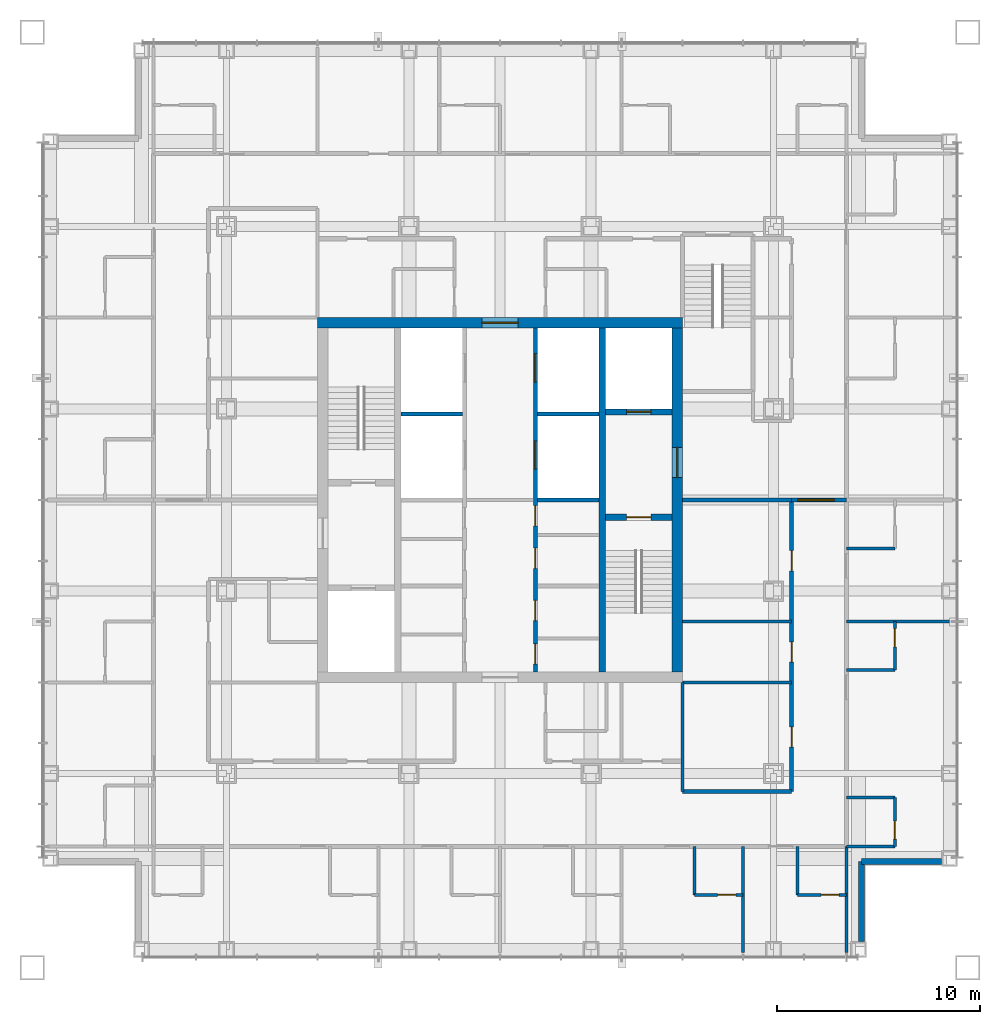
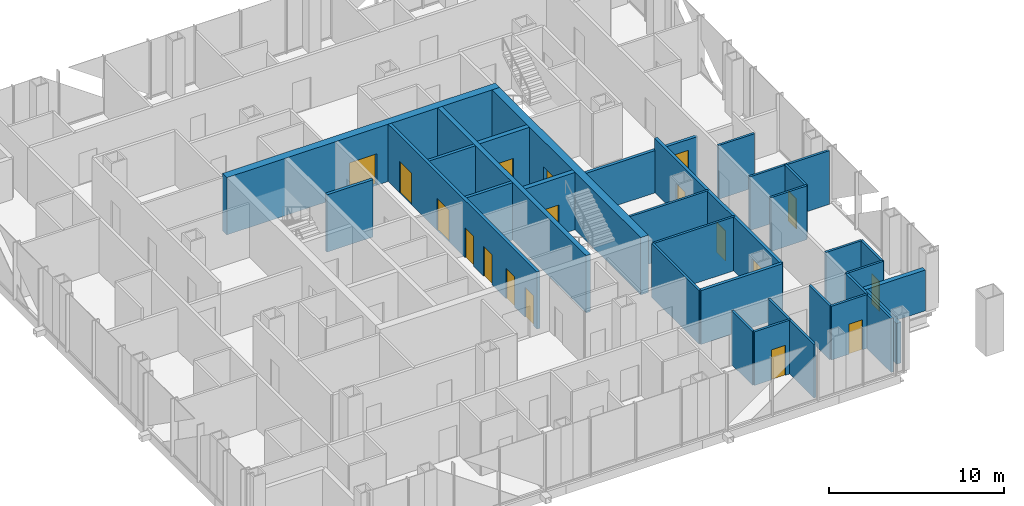
# One storey, part 13 of 16: 31 walls, 18 doors, 18 openings.
"""IFC4 building model written with IfcOpenShell, lengths in metres."""

from ifc_helpers import new_model, si_unit, direction, frame, frame_2d, origin, place, context, subcontext, project, spatial, rectangle, extrude, material, layer, layer_set, type_object, element, fill, save


model = new_model("IFC4")

# Units and contexts
model_context = context("Model", 3, precision=1e-05, world=origin(), true_north=direction((0.0, 1.0)))
body_context = subcontext(model_context, "Body", "Model", "MODEL_VIEW")
ifc_project = project(units=[si_unit("LENGTHUNIT", "METRE"), si_unit("AREAUNIT", "SQUARE_METRE"), si_unit("VOLUMEUNIT", "CUBIC_METRE"), si_unit("PLANEANGLEUNIT", "RADIAN"), si_unit("MASSUNIT", "GRAM", prefix="KILO")], contexts=[model_context])

# Site, building, storey
site_placement = place(None, origin())
site = spatial("IfcSite", under=ifc_project, at=site_placement, CompositionType="ELEMENT")
building_placement = place(site_placement, origin())
building = spatial("IfcBuilding", under=site, at=building_placement, Name="Malebo Sky Hospital", CompositionType="ELEMENT")
storey_placement = place(building_placement, frame((0.0, 0.0, 197.0)))
storey = spatial("IfcBuildingStorey", under=building, at=storey_placement, Name="L47", CompositionType="ELEMENT", Elevation=197.0)

# Wall, openings, doors
ifc_material_1 = material(Name="Concrete C80/95", Category="concrete")
ifc_layer_1 = layer(ifc_material_1, 0.199951171875)
ifc_layer_set_1 = layer_set([ifc_layer_1], Name="CORE INNER WALL 200")
wall_type_1 = type_object("IfcWallType", Name="CORE INNER WALL 200", PredefinedType="SHEAR", material=ifc_layer_set_1)
wall_1_placement = place(storey_placement, frame((61.75, 53.5, 0.0), z_axis=(0.0, 0.0, 1.0), x_axis=(0.0, 1.0, 0.0)))
wall_1 = element("IfcWall", 1, at=wall_1_placement, inside=storey, type_object=wall_type_1, Name="Core wall LE L47", PredefinedType="SHEAR", context=body_context, shape_type="SweptSolid", body=[
    extrude(rectangle(XDim=17.0, YDim=0.199951171875, at=frame_2d((8.5, 0.0))), origin(), (0.0, 0.0, 1.0), 4.0),
])
opening_1_placement = place(wall_1_placement, frame((0.392578125, 0.0, 0.0)))
opening_1 = element("IfcOpeningElement", 2, at=opening_1_placement, cuts=wall_1, Name="Opening D17", PredefinedType="OPENING", context=body_context, shape_type="SweptSolid", body=[
    extrude(rectangle(XDim=1.0, YDim=2.10009765625, at=frame_2d((0.5, 1.050048828125))), frame((0.0, 0.10986328125, 0.0), z_axis=(0.0, -1.0, 0.0), x_axis=(1.0, 0.0, 0.0)), (0.0, 0.0, 1.0), 0.219970703125),
])
opening_2_placement = place(wall_1_placement, frame((2.54248046875, 0.0, 0.0)))
opening_2 = element("IfcOpeningElement", 3, at=opening_2_placement, cuts=wall_1, Name="Opening D17", PredefinedType="OPENING", context=body_context, shape_type="SweptSolid", body=[
    extrude(rectangle(XDim=1.0, YDim=2.10009765625, at=frame_2d((0.5, 1.050048828125))), frame((0.0, 0.10986328125, 0.0), z_axis=(0.0, -1.0, 0.0), x_axis=(1.0, 0.0, 0.0)), (0.0, 0.0, 1.0), 0.219970703125),
])
opening_3_placement = place(wall_1_placement, frame((5.12744140625, 0.0, 0.0)))
opening_3 = element("IfcOpeningElement", 4, at=opening_3_placement, cuts=wall_1, Name="Opening D17", PredefinedType="OPENING", context=body_context, shape_type="SweptSolid", body=[
    extrude(rectangle(XDim=1.0, YDim=2.10009765625, at=frame_2d((0.5, 1.050048828125))), frame((0.0, 0.10986328125, 0.0), z_axis=(0.0, -1.0, 0.0), x_axis=(1.0, 0.0, 0.0)), (0.0, 0.0, 1.0), 0.219970703125),
])
opening_4_placement = place(wall_1_placement, frame((7.2275390625, 0.0, 0.0)))
opening_4 = element("IfcOpeningElement", 5, at=opening_4_placement, cuts=wall_1, Name="Opening D17", PredefinedType="OPENING", context=body_context, shape_type="SweptSolid", body=[
    extrude(rectangle(XDim=1.0, YDim=2.10009765625, at=frame_2d((0.5, 1.050048828125))), frame((0.0, 0.10986328125, 0.0), z_axis=(0.0, -1.0, 0.0), x_axis=(1.0, 0.0, 0.0)), (0.0, 0.0, 1.0), 0.219970703125),
])
opening_5_placement = place(wall_1_placement, frame((10.02490234375, 0.0, 0.0)))
opening_5 = element("IfcOpeningElement", 6, at=opening_5_placement, cuts=wall_1, Name="Opening LD1", PredefinedType="OPENING", context=body_context, shape_type="SweptSolid", body=[
    extrude(rectangle(XDim=1.39990234375, YDim=2.199951171875, at=frame_2d((0.699951171875, 1.10009765625))), frame((0.0, 0.10986328125, 0.0), z_axis=(0.0, -1.0, 0.0), x_axis=(1.0, 0.0, 0.0)), (0.0, 0.0, 1.0), 0.219970703125),
])
opening_6_placement = place(wall_1_placement, frame((14.324951171875, 0.0, 0.0)))
opening_6 = element("IfcOpeningElement", 7, at=opening_6_placement, cuts=wall_1, Name="Opening LD1", PredefinedType="OPENING", context=body_context, shape_type="SweptSolid", body=[
    extrude(rectangle(XDim=1.39990234375, YDim=2.199951171875, at=frame_2d((0.699951171875, 1.10009765625))), frame((0.0, 0.10986328125, 0.0), z_axis=(0.0, -1.0, 0.0), x_axis=(1.0, 0.0, 0.0)), (0.0, 0.0, 1.0), 0.219970703125),
])
ifc_material_2 = material(Name="Hardwood-faced door leaf in steel frame", Category="steel")
door_type_1 = type_object("IfcDoorType", Name="FIRE DOOR 1000", OperationType="SINGLE_SWING_LEFT", PredefinedType="DOOR", material=ifc_material_2)
door_1_placement = place(opening_1_placement, origin())
door_1 = element("IfcDoor", 8, at=door_1_placement, inside=storey, type_object=door_type_1, Name="Linen store door", OperationType="SINGLE_SWING_RIGHT", OverallHeight=2.10009765625, OverallWidth=1.0, PredefinedType="DOOR", context=body_context, shape_type="SweptSolid", body=[
    extrude(rectangle(XDim=1.0, YDim=2.10009765625, at=frame_2d((0.5, 1.050048828125))), frame((0.0, 0.02490234375, 0.0), z_axis=(0.0, -1.0, 0.0), x_axis=(1.0, 0.0, 0.0)), (0.0, 0.0, 1.0), 0.050048828125),
])
fill(opening_1, door_1)
door_2_placement = place(opening_2_placement, origin())
door_2 = element("IfcDoor", 9, at=door_2_placement, inside=storey, type_object=door_type_1, Name="Supplies store door", OperationType="SINGLE_SWING_RIGHT", OverallHeight=2.10009765625, OverallWidth=1.0, PredefinedType="DOOR", context=body_context, shape_type="SweptSolid", body=[
    extrude(rectangle(XDim=1.0, YDim=2.10009765625, at=frame_2d((0.5, 1.050048828125))), frame((0.0, 0.02490234375, 0.0), z_axis=(0.0, -1.0, 0.0), x_axis=(1.0, 0.0, 0.0)), (0.0, 0.0, 1.0), 0.050048828125),
])
fill(opening_2, door_2)
door_3_placement = place(opening_3_placement, origin())
door_3 = element("IfcDoor", 10, at=door_3_placement, inside=storey, type_object=door_type_1, Name="Mattress store door", OperationType="SINGLE_SWING_RIGHT", OverallHeight=2.10009765625, OverallWidth=1.0, PredefinedType="DOOR", context=body_context, shape_type="SweptSolid", body=[
    extrude(rectangle(XDim=1.0, YDim=2.10009765625, at=frame_2d((0.5, 1.050048828125))), frame((0.0, 0.02490234375, 0.0), z_axis=(0.0, -1.0, 0.0), x_axis=(1.0, 0.0, 0.0)), (0.0, 0.0, 1.0), 0.050048828125),
])
fill(opening_3, door_3)
door_4_placement = place(opening_4_placement, origin())
door_4 = element("IfcDoor", 11, at=door_4_placement, inside=storey, type_object=door_type_1, Name="Cleaning equipment store door", OperationType="SINGLE_SWING_RIGHT", OverallHeight=2.10009765625, OverallWidth=1.0, PredefinedType="DOOR", context=body_context, shape_type="SweptSolid", body=[
    extrude(rectangle(XDim=1.0, YDim=2.10009765625, at=frame_2d((0.5, 1.050048828125))), frame((0.0, 0.02490234375, 0.0), z_axis=(0.0, -1.0, 0.0), x_axis=(1.0, 0.0, 0.0)), (0.0, 0.0, 1.0), 0.050048828125),
])
fill(opening_4, door_4)
ifc_material_3 = material(Name="Stainless steel sliding landing door", Category="steel")
door_type_2 = type_object("IfcDoorType", Name="LIFT LANDING DOOR 1400", OperationType="SLIDING_TO_LEFT", PredefinedType="DOOR", material=ifc_material_3)
door_5_placement = place(opening_5_placement, origin())
door_5 = element("IfcDoor", 12, at=door_5_placement, inside=storey, type_object=door_type_2, Name="Lift E3 landing door", OperationType="SLIDING_TO_LEFT", OverallHeight=2.199951171875, OverallWidth=1.39990234375, PredefinedType="DOOR", context=body_context, shape_type="SweptSolid", body=[
    extrude(rectangle(XDim=1.39990234375, YDim=2.199951171875, at=frame_2d((0.699951171875, 1.10009765625))), frame((0.0, 0.02490234375, 0.0), z_axis=(0.0, -1.0, 0.0), x_axis=(1.0, 0.0, 0.0)), (0.0, 0.0, 1.0), 0.050048828125),
])
fill(opening_5, door_5)
door_6_placement = place(opening_6_placement, origin())
door_6 = element("IfcDoor", 13, at=door_6_placement, inside=storey, type_object=door_type_2, Name="Lift E4 landing door", OperationType="SLIDING_TO_LEFT", OverallHeight=2.199951171875, OverallWidth=1.39990234375, PredefinedType="DOOR", context=body_context, shape_type="SweptSolid", body=[
    extrude(rectangle(XDim=1.39990234375, YDim=2.199951171875, at=frame_2d((0.699951171875, 1.10009765625))), frame((0.0, 0.02490234375, 0.0), z_axis=(0.0, -1.0, 0.0), x_axis=(1.0, 0.0, 0.0)), (0.0, 0.0, 1.0), 0.050048828125),
])
fill(opening_6, door_6)

# Walls
for number, where, z_axis, x_axis, name in (
    (14, (61.85009765625, 62.0, 0.0), (0.0, 0.0, 1.0), (1.0, 0.0, 0.0), "Core wall SE1 L47"),
    (15, (55.10009765625, 66.25, 0.0), (0.0, 0.0, 1.0), (1.0, 0.0, 0.0), "Core wall SW2 L47"),
    (16, (61.85009765625, 66.25, 0.0), (0.0, 0.0, 1.0), (1.0, 0.0, 0.0), "Core wall SE2 L47"),
):
    element("IfcWall", number, at=place(storey_placement, frame(where, z_axis=z_axis, x_axis=x_axis)), inside=storey, type_object=wall_type_1, Name=name, PredefinedType="SHEAR", context=body_context, shape_type="SweptSolid", body=[
        extrude(rectangle(XDim=3.0498046875, YDim=0.199951171875, at=frame_2d((1.52490234375, 0.0))), origin(), (0.0, 0.0, 1.0), 4.0),
    ])
ifc_layer_2 = layer(ifc_material_1, 0.300048828125)
ifc_layer_set_2 = layer_set([ifc_layer_2], Name="CORE INNER WALL 300")
wall_type_2 = type_object("IfcWallType", Name="CORE INNER WALL 300", PredefinedType="SHEAR", material=ifc_layer_set_2)
wall_2_placement = place(storey_placement, frame((65.050048828125, 53.5, 0.0), z_axis=(0.0, 0.0, 1.0), x_axis=(0.0, 1.0, 0.0)))
element("IfcWall", 17, at=wall_2_placement, inside=storey, type_object=wall_type_2, Name="Core wall XE L47", PredefinedType="SHEAR", context=body_context, shape_type="SweptSolid", body=[
    extrude(rectangle(XDim=17.0, YDim=0.300048828125, at=frame_2d((8.5, 0.0))), origin(), (0.0, 0.0, 1.0), 4.0),
])

# Wall, opening, door
wall_3_placement = place(storey_placement, frame((65.199951171875, 61.14990234375, 0.0), z_axis=(0.0, 0.0, 1.0), x_axis=(1.0, 0.0, 0.0)))
wall_3 = element("IfcWall", 18, at=wall_3_placement, inside=storey, type_object=wall_type_2, Name="Core wall E1 L47", PredefinedType="SHEAR", context=body_context, shape_type="SweptSolid", body=[
    extrude(rectangle(XDim=3.300048828125, YDim=0.300048828125, at=frame_2d((1.64990234375, 0.0))), origin(), (0.0, 0.0, 1.0), 4.0),
])
opening_7_placement = place(wall_3_placement, frame((1.050048828125, 0.0, 0.0)))
opening_7 = element("IfcOpeningElement", 19, at=opening_7_placement, cuts=wall_3, Name="Opening D08", PredefinedType="OPENING", context=body_context, shape_type="SweptSolid", body=[
    extrude(rectangle(XDim=1.199951171875, YDim=2.10009765625, at=frame_2d((0.60009765625, 1.050048828125))), frame((0.0, 0.159912109375, 0.0), z_axis=(0.0, -1.0, 0.0), x_axis=(1.0, 0.0, 0.0)), (0.0, 0.0, 1.0), 0.320068359375),
])
door_type_3 = type_object("IfcDoorType", Name="STAIR DOOR 1200", OperationType="SINGLE_SWING_LEFT", PredefinedType="DOOR", material=ifc_material_2)
door_7_placement = place(opening_7_placement, origin())
door_7 = element("IfcDoor", 20, at=door_7_placement, inside=storey, type_object=door_type_3, Name="Stair S2 door", OperationType="SINGLE_SWING_LEFT", OverallHeight=2.10009765625, OverallWidth=1.199951171875, PredefinedType="DOOR", context=body_context, shape_type="SweptSolid", body=[
    extrude(rectangle(XDim=1.199951171875, YDim=2.10009765625, at=frame_2d((0.60009765625, 1.050048828125))), frame((0.0, 0.02490234375, 0.0), z_axis=(0.0, -1.0, 0.0), x_axis=(1.0, 0.0, 0.0)), (0.0, 0.0, 1.0), 0.050048828125),
])
fill(opening_7, door_7)

wall_4_placement = place(storey_placement, frame((65.199951171875, 66.35009765625, 0.0), z_axis=(0.0, 0.0, 1.0), x_axis=(1.0, 0.0, 0.0)))
wall_4 = element("IfcWall", 21, at=wall_4_placement, inside=storey, type_object=wall_type_2, Name="Core wall E2 L47", PredefinedType="SHEAR", context=body_context, shape_type="SweptSolid", body=[
    extrude(rectangle(XDim=3.300048828125, YDim=0.300048828125, at=frame_2d((1.64990234375, 0.0))), origin(), (0.0, 0.0, 1.0), 4.0),
])
opening_8_placement = place(wall_4_placement, frame((1.050048828125, 0.0, 0.0)))
opening_8 = element("IfcOpeningElement", 22, at=opening_8_placement, cuts=wall_4, Name="Opening LD2", PredefinedType="OPENING", context=body_context, shape_type="SweptSolid", body=[
    extrude(rectangle(XDim=1.199951171875, YDim=2.199951171875, at=frame_2d((0.60009765625, 1.10009765625))), frame((0.0, 0.159912109375, 0.0), z_axis=(0.0, -1.0, 0.0), x_axis=(1.0, 0.0, 0.0)), (0.0, 0.0, 1.0), 0.320068359375),
])
door_type_4 = type_object("IfcDoorType", Name="FIRE-FIGHTING LIFT LANDING DOOR 1200", OperationType="SLIDING_TO_LEFT", PredefinedType="DOOR", material=ifc_material_3)
door_8_placement = place(opening_8_placement, origin())
door_8 = element("IfcDoor", 23, at=door_8_placement, inside=storey, type_object=door_type_4, Name="Lift FL2 landing door", OperationType="SLIDING_TO_LEFT", OverallHeight=2.199951171875, OverallWidth=1.199951171875, PredefinedType="DOOR", context=body_context, shape_type="SweptSolid", body=[
    extrude(rectangle(XDim=1.199951171875, YDim=2.199951171875, at=frame_2d((0.60009765625, 1.10009765625))), frame((0.0, 0.02490234375, 0.0), z_axis=(0.0, -1.0, 0.0), x_axis=(1.0, 0.0, 0.0)), (0.0, 0.0, 1.0), 0.050048828125),
])
fill(opening_8, door_8)

ifc_layer_3 = layer(ifc_material_1, 0.5)
ifc_layer_set_3 = layer_set([ifc_layer_3], Name="CORE WALL 500")
wall_type_3 = type_object("IfcWallType", Name="CORE WALL 500", PredefinedType="SHEAR", material=ifc_layer_set_3)
wall_5_placement = place(storey_placement, frame((51.0, 70.75, 0.0), z_axis=(0.0, 0.0, 1.0), x_axis=(1.0, 0.0, 0.0)))
wall_5 = element("IfcWall", 24, at=wall_5_placement, inside=storey, type_object=wall_type_3, Name="Core wall N L47", PredefinedType="SHEAR", context=body_context, shape_type="SweptSolid", body=[
    extrude(rectangle(XDim=18.0, YDim=0.5, at=frame_2d((9.0, 0.0))), origin(), (0.0, 0.0, 1.0), 4.0),
])
opening_9_placement = place(wall_5_placement, frame((8.10009765625, 0.0, 0.0)))
opening_9 = element("IfcOpeningElement", 25, at=opening_9_placement, cuts=wall_5, Name="Opening D06", PredefinedType="OPENING", context=body_context, shape_type="SweptSolid", body=[
    extrude(rectangle(XDim=1.800048828125, YDim=2.199951171875, at=frame_2d((0.89990234375, 1.10009765625))), frame((0.0, 0.260009765625, 0.0), z_axis=(0.0, -1.0, 0.0), x_axis=(1.0, 0.0, 0.0)), (0.0, 0.0, 1.0), 0.52001953125),
])
door_type_5 = type_object("IfcDoorType", Name="LOBBY DOOR PAIR 1800", OperationType="DOUBLE_DOOR_SINGLE_SWING", PredefinedType="DOOR", material=ifc_material_2)
door_9_placement = place(opening_9_placement, origin())
door_9 = element("IfcDoor", 26, at=door_9_placement, inside=storey, type_object=door_type_5, Name="Lift lobby door north", OperationType="DOUBLE_DOOR_SINGLE_SWING", OverallHeight=2.199951171875, OverallWidth=1.800048828125, PredefinedType="DOOR", context=body_context, shape_type="SweptSolid", body=[
    extrude(rectangle(XDim=1.800048828125, YDim=2.199951171875, at=frame_2d((0.89990234375, 1.10009765625))), frame((0.0, 0.02490234375, 0.0), z_axis=(0.0, -1.0, 0.0), x_axis=(1.0, 0.0, 0.0)), (0.0, 0.0, 1.0), 0.050048828125),
])
fill(opening_9, door_9)

wall_6_placement = place(storey_placement, frame((68.75, 53.5, 0.0), z_axis=(0.0, 0.0, 1.0), x_axis=(0.0, 1.0, 0.0)))
wall_6 = element("IfcWall", 27, at=wall_6_placement, inside=storey, type_object=wall_type_3, Name="Core wall E L47", PredefinedType="SHEAR", context=body_context, shape_type="SweptSolid", body=[
    extrude(rectangle(XDim=17.0, YDim=0.5, at=frame_2d((8.5, 0.0))), origin(), (0.0, 0.0, 1.0), 4.0),
])
opening_10_placement = place(wall_6_placement, frame((9.60009765625, 0.0, 0.0)))
opening_10 = element("IfcOpeningElement", 28, at=opening_10_placement, cuts=wall_6, Name="Opening D07", PredefinedType="OPENING", context=body_context, shape_type="SweptSolid", body=[
    extrude(rectangle(XDim=1.5, YDim=2.199951171875, at=frame_2d((0.75, 1.10009765625))), frame((0.0, 0.260009765625, 0.0), z_axis=(0.0, -1.0, 0.0), x_axis=(1.0, 0.0, 0.0)), (0.0, 0.0, 1.0), 0.52001953125),
])
door_type_6 = type_object("IfcDoorType", Name="FIRE-FIGHTING LOBBY DOOR PAIR 1500", OperationType="DOUBLE_DOOR_SINGLE_SWING", PredefinedType="DOOR", material=ifc_material_2)
door_10_placement = place(opening_10_placement, origin())
door_10 = element("IfcDoor", 29, at=door_10_placement, inside=storey, type_object=door_type_6, Name="Fire-fighting lobby door east", OperationType="DOUBLE_DOOR_SINGLE_SWING", OverallHeight=2.199951171875, OverallWidth=1.5, PredefinedType="DOOR", context=body_context, shape_type="SweptSolid", body=[
    extrude(rectangle(XDim=1.5, YDim=2.199951171875, at=frame_2d((0.75, 1.10009765625))), frame((0.0, 0.02490234375, 0.0), z_axis=(0.0, -1.0, 0.0), x_axis=(1.0, 0.0, 0.0)), (0.0, 0.0, 1.0), 0.050048828125),
])
fill(opening_10, door_10)

# Wall
ifc_material_4 = material(Name="Gypsum board on steel studs", Category="steel")
ifc_layer_4 = layer(ifc_material_4, 0.199951171875)
ifc_layer_set_4 = layer_set([ifc_layer_4], Name="CORRIDOR WALL 200")
wall_type_4 = type_object("IfcWallType", Name="CORRIDOR WALL 200", PredefinedType="PARTITIONING", material=ifc_layer_set_4)
wall_7_placement = place(storey_placement, frame((74.39990234375, 47.60009765625, 0.0), z_axis=(0.0, 0.0, 1.0), x_axis=(-1.0, 0.0, 0.0)))
element("IfcWall", 30, at=wall_7_placement, inside=storey, type_object=wall_type_4, Name="Corridor Wall 200 SCIK", PredefinedType="PARTITIONING", context=body_context, shape_type="SweptSolid", body=[
    extrude(rectangle(XDim=5.39990234375, YDim=0.199951171875, at=frame_2d((2.699951171875, 0.0))), origin(), (0.0, 0.0, 1.0), 3.75),
])

# Wall, openings, doors
wall_8_placement = place(storey_placement, frame((74.39990234375, 62.0, 0.0), z_axis=(0.0, 0.0, 1.0), x_axis=(0.0, -1.0, 0.0)))
wall_8 = element("IfcWall", 31, at=wall_8_placement, inside=storey, type_object=wall_type_4, Name="Corridor Wall 200 ECI2", PredefinedType="PARTITIONING", context=body_context, shape_type="SweptSolid", body=[
    extrude(rectangle(XDim=14.39990234375, YDim=0.199951171875, at=frame_2d((7.199951171875, 0.0))), origin(), (0.0, 0.0, 1.0), 3.75),
])
opening_11_placement = place(wall_8_placement, frame((2.5, 0.0, 0.0)))
opening_11 = element("IfcOpeningElement", 32, at=opening_11_placement, cuts=wall_8, Name="Opening D03", PredefinedType="OPENING", context=body_context, shape_type="SweptSolid", body=[
    extrude(rectangle(XDim=1.0, YDim=2.10009765625, at=frame_2d((0.5, 1.050048828125))), frame((0.0, 0.10986328125, 0.0), z_axis=(0.0, -1.0, 0.0), x_axis=(1.0, 0.0, 0.0)), (0.0, 0.0, 1.0), 0.219970703125),
])
opening_12_placement = place(wall_8_placement, frame((7.0, 0.0, 0.0)))
opening_12 = element("IfcOpeningElement", 33, at=opening_12_placement, cuts=wall_8, Name="Opening D03", PredefinedType="OPENING", context=body_context, shape_type="SweptSolid", body=[
    extrude(rectangle(XDim=1.0, YDim=2.10009765625, at=frame_2d((0.5, 1.050048828125))), frame((0.0, 0.10986328125, 0.0), z_axis=(0.0, -1.0, 0.0), x_axis=(1.0, 0.0, 0.0)), (0.0, 0.0, 1.0), 0.219970703125),
])
opening_13_placement = place(wall_8_placement, frame((11.199951171875, 0.0, 0.0)))
opening_13 = element("IfcOpeningElement", 34, at=opening_13_placement, cuts=wall_8, Name="Opening D03", PredefinedType="OPENING", context=body_context, shape_type="SweptSolid", body=[
    extrude(rectangle(XDim=1.0, YDim=2.10009765625, at=frame_2d((0.5, 1.050048828125))), frame((0.0, 0.10986328125, 0.0), z_axis=(0.0, -1.0, 0.0), x_axis=(1.0, 0.0, 0.0)), (0.0, 0.0, 1.0), 0.219970703125),
])
door_type_7 = type_object("IfcDoorType", Name="ROOM DOOR 1000", OperationType="SINGLE_SWING_LEFT", PredefinedType="DOOR", material=ifc_material_2)
door_11_placement = place(opening_11_placement, origin())
door_11 = element("IfcDoor", 35, at=door_11_placement, inside=storey, type_object=door_type_7, Name="Treatment room door", OperationType="SINGLE_SWING_LEFT", OverallHeight=2.10009765625, OverallWidth=1.0, PredefinedType="DOOR", context=body_context, shape_type="SweptSolid", body=[
    extrude(rectangle(XDim=1.0, YDim=2.10009765625, at=frame_2d((0.5, 1.050048828125))), frame((0.0, 0.02490234375, 0.0), z_axis=(0.0, -1.0, 0.0), x_axis=(1.0, 0.0, 0.0)), (0.0, 0.0, 1.0), 0.050048828125),
])
fill(opening_11, door_11)
door_12_placement = place(opening_12_placement, origin())
door_12 = element("IfcDoor", 36, at=door_12_placement, inside=storey, type_object=door_type_7, Name="Medication room door", OperationType="SINGLE_SWING_LEFT", OverallHeight=2.10009765625, OverallWidth=1.0, PredefinedType="DOOR", context=body_context, shape_type="SweptSolid", body=[
    extrude(rectangle(XDim=1.0, YDim=2.10009765625, at=frame_2d((0.5, 1.050048828125))), frame((0.0, 0.02490234375, 0.0), z_axis=(0.0, -1.0, 0.0), x_axis=(1.0, 0.0, 0.0)), (0.0, 0.0, 1.0), 0.050048828125),
])
fill(opening_12, door_12)
door_13_placement = place(opening_13_placement, origin())
door_13 = element("IfcDoor", 37, at=door_13_placement, inside=storey, type_object=door_type_7, Name="Ward pantry door", OperationType="SINGLE_SWING_RIGHT", OverallHeight=2.10009765625, OverallWidth=1.0, PredefinedType="DOOR", context=body_context, shape_type="SweptSolid", body=[
    extrude(rectangle(XDim=1.0, YDim=2.10009765625, at=frame_2d((0.5, 1.050048828125))), frame((0.0, 0.02490234375, 0.0), z_axis=(0.0, -1.0, 0.0), x_axis=(1.0, 0.0, 0.0)), (0.0, 0.0, 1.0), 0.050048828125),
])
fill(opening_13, door_13)

# Walls
ifc_material_5 = material(Name="Anodised aluminium rainscreen on steel framing", Category="steel")
ifc_layer_5 = layer(ifc_material_5, 0.300048828125)
ifc_layer_set_5 = layer_set([ifc_layer_5], Name="NOTCH RAINSCREEN WALL 300")
wall_type_5 = type_object("IfcWallType", Name="NOTCH RAINSCREEN WALL 300", PredefinedType="ELEMENTEDWALL", material=ifc_layer_set_5)
for number, where, z_axis, x_axis, name in (
    (38, (81.800048828125, 44.14990234375, 0.0), (0.0, 0.0, 1.0), (-1.0, 0.0, 0.0), "Notch rainscreen wall E1 L47"),
    (39, (77.85009765625, 44.14990234375, 0.0), (0.0, 0.0, 1.0), (0.0, -1.0, 0.0), "Notch rainscreen wall E2 L47"),
):
    element("IfcWall", number, at=place(storey_placement, frame(where, z_axis=z_axis, x_axis=x_axis)), inside=storey, type_object=wall_type_5, Name=name, PredefinedType="ELEMENTEDWALL", context=body_context, shape_type="SweptSolid", body=[
        extrude(rectangle(XDim=3.949951171875, YDim=0.300048828125, at=frame_2d((1.97509765625, 0.0))), origin(), (0.0, 0.0, 1.0), 2.85009765625),
    ])
ifc_layer_6 = layer(ifc_material_4, 0.14990234375)
ifc_layer_set_6 = layer_set([ifc_layer_6], Name="PARTITION 150")
wall_type_6 = type_object("IfcWallType", Name="PARTITION 150", PredefinedType="PARTITIONING", material=ifc_layer_set_6)
for number, where, z_axis, x_axis, name in (
    (40, (72.0, 44.89990234375, 0.0), (0.0, 0.0, 1.0), (0.0, -1.0, 0.0), "Partition 150 SP-12.0"),
    (41, (77.10009765625, 44.89990234375, 0.0), (0.0, 0.0, 1.0), (0.0, -1.0, 0.0), "Partition 150 SP0"),
):
    element("IfcWall", number, at=place(storey_placement, frame(where, z_axis=z_axis, x_axis=x_axis)), inside=storey, type_object=wall_type_6, Name=name, PredefinedType="PARTITIONING", context=body_context, shape_type="SweptSolid", body=[
        extrude(rectangle(XDim=5.25, YDim=0.14990234375, at=frame_2d((2.625, 0.0))), origin(), (0.0, 0.0, 1.0), 3.75),
    ])

# Wall, opening, door
wall_9_placement = place(storey_placement, frame((77.10009765625, 42.5, 0.0), z_axis=(0.0, 0.0, 1.0), x_axis=(-1.0, 0.0, 0.0)))
wall_9 = element("IfcWall", 42, at=wall_9_placement, inside=storey, type_object=wall_type_6, Name="Partition 150 SE0F", PredefinedType="PARTITIONING", context=body_context, shape_type="SweptSolid", body=[
    extrude(rectangle(XDim=2.400146484375, YDim=0.14990234375, at=frame_2d((1.2001953125, 0.0))), origin(), (0.0, 0.0, 1.0), 3.75),
])
opening_14_placement = place(wall_9_placement, frame((0.35009765625, 0.0, 0.0)))
opening_14 = element("IfcOpeningElement", 43, at=opening_14_placement, cuts=wall_9, Name="Opening D02", PredefinedType="OPENING", context=body_context, shape_type="SweptSolid", body=[
    extrude(rectangle(XDim=0.89990234375, YDim=2.10009765625, at=frame_2d((0.449951171875, 1.050048828125))), frame((0.0, 0.0849609375, 0.0), z_axis=(0.0, -1.0, 0.0), x_axis=(1.0, 0.0, 0.0)), (0.0, 0.0, 1.0), 0.169921875),
])
door_type_8 = type_object("IfcDoorType", Name="EN-SUITE DOOR 900", OperationType="SINGLE_SWING_LEFT", PredefinedType="DOOR", material=ifc_material_2)
door_14_placement = place(opening_14_placement, origin())
door_14 = element("IfcDoor", 44, at=door_14_placement, inside=storey, type_object=door_type_8, Name="En-suite door", OperationType="SINGLE_SWING_LEFT", OverallHeight=2.10009765625, OverallWidth=0.89990234375, PredefinedType="DOOR", context=body_context, shape_type="SweptSolid", body=[
    extrude(rectangle(XDim=0.89990234375, YDim=2.10009765625, at=frame_2d((0.449951171875, 1.050048828125))), frame((0.0, 0.02490234375, 0.0), z_axis=(0.0, -1.0, 0.0), x_axis=(1.0, 0.0, 0.0)), (0.0, 0.0, 1.0), 0.050048828125),
])
fill(opening_14, door_14)

# Wall
wall_10_placement = place(storey_placement, frame((74.699951171875, 44.89990234375, 0.0), z_axis=(0.0, 0.0, 1.0), x_axis=(0.0, -1.0, 0.0)))
element("IfcWall", 45, at=wall_10_placement, inside=storey, type_object=wall_type_6, Name="Partition 150 SE0S", PredefinedType="PARTITIONING", context=body_context, shape_type="SweptSolid", body=[
    extrude(rectangle(XDim=2.39990234375, YDim=0.14990234375, at=frame_2d((1.199951171875, 0.0))), origin(), (0.0, 0.0, 1.0), 3.75),
])

# Wall, opening, door
wall_11_placement = place(storey_placement, frame((72.0, 42.5, 0.0), z_axis=(0.0, 0.0, 1.0), x_axis=(-1.0, 0.0, 0.0)))
wall_11 = element("IfcWall", 46, at=wall_11_placement, inside=storey, type_object=wall_type_6, Name="Partition 150 SE1F", PredefinedType="PARTITIONING", context=body_context, shape_type="SweptSolid", body=[
    extrude(rectangle(XDim=2.39990234375, YDim=0.14990234375, at=frame_2d((1.199951171875, 0.0))), origin(), (0.0, 0.0, 1.0), 3.75),
])
opening_15_placement = place(wall_11_placement, frame((0.35009765625, 0.0, 0.0)))
opening_15 = element("IfcOpeningElement", 47, at=opening_15_placement, cuts=wall_11, Name="Opening D02", PredefinedType="OPENING", context=body_context, shape_type="SweptSolid", body=[
    extrude(rectangle(XDim=0.89990234375, YDim=2.10009765625, at=frame_2d((0.449951171875, 1.050048828125))), frame((0.0, 0.0849609375, 0.0), z_axis=(0.0, -1.0, 0.0), x_axis=(1.0, 0.0, 0.0)), (0.0, 0.0, 1.0), 0.169921875),
])
door_15_placement = place(opening_15_placement, origin())
door_15 = element("IfcDoor", 48, at=door_15_placement, inside=storey, type_object=door_type_8, Name="En-suite door", OperationType="SINGLE_SWING_LEFT", OverallHeight=2.10009765625, OverallWidth=0.89990234375, PredefinedType="DOOR", context=body_context, shape_type="SweptSolid", body=[
    extrude(rectangle(XDim=0.89990234375, YDim=2.10009765625, at=frame_2d((0.449951171875, 1.050048828125))), frame((0.0, 0.02490234375, 0.0), z_axis=(0.0, -1.0, 0.0), x_axis=(1.0, 0.0, 0.0)), (0.0, 0.0, 1.0), 0.050048828125),
])
fill(opening_15, door_15)

# Walls
wall_12_placement = place(storey_placement, frame((69.60009765625, 44.89990234375, 0.0), z_axis=(0.0, 0.0, 1.0), x_axis=(0.0, -1.0, 0.0)))
element("IfcWall", 49, at=wall_12_placement, inside=storey, type_object=wall_type_6, Name="Partition 150 SE1S", PredefinedType="PARTITIONING", context=body_context, shape_type="SweptSolid", body=[
    extrude(rectangle(XDim=2.39990234375, YDim=0.14990234375, at=frame_2d((1.199951171875, 0.0))), origin(), (0.0, 0.0, 1.0), 3.75),
])
wall_13_placement = place(storey_placement, frame((69.0, 53.0, 0.0), z_axis=(0.0, 0.0, 1.0), x_axis=(0.0, -1.0, 0.0)))
element("IfcWall", 50, at=wall_13_placement, inside=storey, type_object=wall_type_6, Name="Partition 150 SSP0", PredefinedType="PARTITIONING", context=body_context, shape_type="SweptSolid", body=[
    extrude(rectangle(XDim=5.39990234375, YDim=0.14990234375, at=frame_2d((2.699951171875, 0.0))), origin(), (0.0, 0.0, 1.0), 3.75),
])
wall_14_placement = place(storey_placement, frame((77.10009765625, 56.0, 0.0), z_axis=(0.0, 0.0, 1.0), x_axis=(1.0, 0.0, 0.0)))
element("IfcWall", 51, at=wall_14_placement, inside=storey, type_object=wall_type_6, Name="Partition 150 EP+6.0", PredefinedType="PARTITIONING", context=body_context, shape_type="SweptSolid", body=[
    extrude(rectangle(XDim=5.25, YDim=0.14990234375, at=frame_2d((2.625, 0.0))), origin(), (0.0, 0.0, 1.0), 3.75),
])
wall_15_placement = place(storey_placement, frame((77.10009765625, 59.60009765625, 0.0), z_axis=(0.0, 0.0, 1.0), x_axis=(1.0, 0.0, 0.0)))
element("IfcWall", 52, at=wall_15_placement, inside=storey, type_object=wall_type_6, Name="Partition 150 EE2S", PredefinedType="PARTITIONING", context=body_context, shape_type="SweptSolid", body=[
    extrude(rectangle(XDim=2.39990234375, YDim=0.14990234375, at=frame_2d((1.199951171875, 0.0))), origin(), (0.0, 0.0, 1.0), 3.75),
])

# Wall, opening, door
wall_16_placement = place(storey_placement, frame((79.5, 56.0, 0.0), z_axis=(0.0, 0.0, 1.0), x_axis=(0.0, -1.0, 0.0)))
wall_16 = element("IfcWall", 53, at=wall_16_placement, inside=storey, type_object=wall_type_6, Name="Partition 150 EE3F", PredefinedType="PARTITIONING", context=body_context, shape_type="SweptSolid", body=[
    extrude(rectangle(XDim=2.39990234375, YDim=0.14990234375, at=frame_2d((1.199951171875, 0.0))), origin(), (0.0, 0.0, 1.0), 3.75),
])
opening_16_placement = place(wall_16_placement, frame((0.35009765625, 0.0, 0.0)))
opening_16 = element("IfcOpeningElement", 54, at=opening_16_placement, cuts=wall_16, Name="Opening D02", PredefinedType="OPENING", context=body_context, shape_type="SweptSolid", body=[
    extrude(rectangle(XDim=0.89990234375, YDim=2.10009765625, at=frame_2d((0.449951171875, 1.050048828125))), frame((0.0, 0.0849609375, 0.0), z_axis=(0.0, -1.0, 0.0), x_axis=(1.0, 0.0, 0.0)), (0.0, 0.0, 1.0), 0.169921875),
])
door_16_placement = place(opening_16_placement, origin())
door_16 = element("IfcDoor", 55, at=door_16_placement, inside=storey, type_object=door_type_8, Name="En-suite door", OperationType="SINGLE_SWING_LEFT", OverallHeight=2.10009765625, OverallWidth=0.89990234375, PredefinedType="DOOR", context=body_context, shape_type="SweptSolid", body=[
    extrude(rectangle(XDim=0.89990234375, YDim=2.10009765625, at=frame_2d((0.449951171875, 1.050048828125))), frame((0.0, 0.02490234375, 0.0), z_axis=(0.0, -1.0, 0.0), x_axis=(1.0, 0.0, 0.0)), (0.0, 0.0, 1.0), 0.050048828125),
])
fill(opening_16, door_16)

# Wall
wall_17_placement = place(storey_placement, frame((77.10009765625, 53.60009765625, 0.0), z_axis=(0.0, 0.0, 1.0), x_axis=(1.0, 0.0, 0.0)))
element("IfcWall", 56, at=wall_17_placement, inside=storey, type_object=wall_type_6, Name="Partition 150 EE3S", PredefinedType="PARTITIONING", context=body_context, shape_type="SweptSolid", body=[
    extrude(rectangle(XDim=2.39990234375, YDim=0.14990234375, at=frame_2d((1.199951171875, 0.0))), origin(), (0.0, 0.0, 1.0), 3.75),
])

# Wall, opening, door
wall_18_placement = place(storey_placement, frame((79.5, 47.300048828125, 0.0), z_axis=(0.0, 0.0, 1.0), x_axis=(0.0, -1.0, 0.0)))
wall_18 = element("IfcWall", 57, at=wall_18_placement, inside=storey, type_object=wall_type_6, Name="Partition 150 EG3F", PredefinedType="PARTITIONING", context=body_context, shape_type="SweptSolid", body=[
    extrude(rectangle(XDim=2.400146484375, YDim=0.14990234375, at=frame_2d((1.2001953125, 0.0))), origin(), (0.0, 0.0, 1.0), 3.75),
])
opening_17_placement = place(wall_18_placement, frame((1.14990234375, 0.0, 0.0)))
opening_17 = element("IfcOpeningElement", 58, at=opening_17_placement, cuts=wall_18, Name="Opening D02", PredefinedType="OPENING", context=body_context, shape_type="SweptSolid", body=[
    extrude(rectangle(XDim=0.89990234375, YDim=2.10009765625, at=frame_2d((0.449951171875, 1.050048828125))), frame((0.0, 0.0849609375, 0.0), z_axis=(0.0, -1.0, 0.0), x_axis=(1.0, 0.0, 0.0)), (0.0, 0.0, 1.0), 0.169921875),
])
door_17_placement = place(opening_17_placement, origin())
door_17 = element("IfcDoor", 59, at=door_17_placement, inside=storey, type_object=door_type_8, Name="En-suite door", OperationType="SINGLE_SWING_RIGHT", OverallHeight=2.10009765625, OverallWidth=0.89990234375, PredefinedType="DOOR", context=body_context, shape_type="SweptSolid", body=[
    extrude(rectangle(XDim=0.89990234375, YDim=2.10009765625, at=frame_2d((0.449951171875, 1.050048828125))), frame((0.0, 0.02490234375, 0.0), z_axis=(0.0, -1.0, 0.0), x_axis=(1.0, 0.0, 0.0)), (0.0, 0.0, 1.0), 0.050048828125),
])
fill(opening_17, door_17)

# Walls
for number, where, z_axis, x_axis, name in (
    (60, (77.10009765625, 47.300048828125, 0.0), (0.0, 0.0, 1.0), (1.0, 0.0, 0.0), "Partition 150 EG3S"),
    (61, (77.10009765625, 44.89990234375, 0.0), (0.0, 0.0, 1.0), (1.0, 0.0, 0.0), "Partition 150 EEZ"),
):
    element("IfcWall", number, at=place(storey_placement, frame(where, z_axis=z_axis, x_axis=x_axis)), inside=storey, type_object=wall_type_6, Name=name, PredefinedType="PARTITIONING", context=body_context, shape_type="SweptSolid", body=[
        extrude(rectangle(XDim=2.39990234375, YDim=0.14990234375, at=frame_2d((1.199951171875, 0.0))), origin(), (0.0, 0.0, 1.0), 3.75),
    ])
for number, where, z_axis, x_axis, name in (
    (62, (69.0, 56.0, 0.0), (0.0, 0.0, 1.0), (1.0, 0.0, 0.0), "Partition 150 ESP+6.0"),
    (63, (69.0, 53.0, 0.0), (0.0, 0.0, 1.0), (1.0, 0.0, 0.0), "Partition 150 ESP+9.0"),
):
    element("IfcWall", number, at=place(storey_placement, frame(where, z_axis=z_axis, x_axis=x_axis)), inside=storey, type_object=wall_type_6, Name=name, PredefinedType="PARTITIONING", context=body_context, shape_type="SweptSolid", body=[
        extrude(rectangle(XDim=5.39990234375, YDim=0.14990234375, at=frame_2d((2.699951171875, 0.0))), origin(), (0.0, 0.0, 1.0), 3.75),
    ])
ifc_material_6 = material(Name="Concrete blockwork", Category="masonry")
ifc_layer_7 = layer(ifc_material_6, 0.199951171875)
ifc_layer_set_7 = layer_set([ifc_layer_7], Name="SMOKE BARRIER WALL 200")
wall_type_7 = type_object("IfcWallType", Name="SMOKE BARRIER WALL 200", PredefinedType="SOLIDWALL", material=ifc_layer_set_7)
wall_19_placement = place(storey_placement, frame((69.0, 62.0, 0.0), z_axis=(0.0, 0.0, 1.0), x_axis=(1.0, 0.0, 0.0)))
element("IfcWall", 64, at=wall_19_placement, inside=storey, type_object=wall_type_7, Name="Smoke Barrier Wall 200 ESPB", PredefinedType="SOLIDWALL", context=body_context, shape_type="SweptSolid", body=[
    extrude(rectangle(XDim=5.39990234375, YDim=0.199951171875, at=frame_2d((2.699951171875, 0.0))), origin(), (0.0, 0.0, 1.0), 2.949951171875),
])

# Wall, opening, door
wall_20_placement = place(storey_placement, frame((74.39990234375, 62.0, 0.0), z_axis=(0.0, 0.0, 1.0), x_axis=(1.0, 0.0, 0.0)))
wall_20 = element("IfcWall", 65, at=wall_20_placement, inside=storey, type_object=wall_type_7, Name="Smoke Barrier Wall 200 ESB", PredefinedType="SOLIDWALL", context=body_context, shape_type="SweptSolid", body=[
    extrude(rectangle(XDim=2.7001953125, YDim=0.199951171875, at=frame_2d((1.35009765625, 0.0))), origin(), (0.0, 0.0, 1.0), 2.949951171875),
])
opening_18_placement = place(wall_20_placement, frame((0.300048828125, 0.0, 0.0)))
opening_18 = element("IfcOpeningElement", 66, at=opening_18_placement, cuts=wall_20, Name="Opening D05", PredefinedType="OPENING", context=body_context, shape_type="SweptSolid", body=[
    extrude(rectangle(XDim=1.800048828125, YDim=2.199951171875, at=frame_2d((0.89990234375, 1.10009765625))), frame((0.0, 0.10986328125, 0.0), z_axis=(0.0, -1.0, 0.0), x_axis=(1.0, 0.0, 0.0)), (0.0, 0.0, 1.0), 0.219970703125),
])
door_type_9 = type_object("IfcDoorType", Name="SMOKE DOOR PAIR 1800", OperationType="DOUBLE_DOOR_DOUBLE_SWING", PredefinedType="DOOR", material=ifc_material_2)
door_18_placement = place(opening_18_placement, origin())
door_18 = element("IfcDoor", 67, at=door_18_placement, inside=storey, type_object=door_type_9, Name="Smoke compartment door pair", OperationType="DOUBLE_DOOR_DOUBLE_SWING", OverallHeight=2.199951171875, OverallWidth=1.800048828125, PredefinedType="DOOR", context=body_context, shape_type="SweptSolid", body=[
    extrude(rectangle(XDim=1.800048828125, YDim=2.199951171875, at=frame_2d((0.89990234375, 1.10009765625))), frame((0.0, 0.02490234375, 0.0), z_axis=(0.0, -1.0, 0.0), x_axis=(1.0, 0.0, 0.0)), (0.0, 0.0, 1.0), 0.050048828125),
])
fill(opening_18, door_18)

save(model, "model.ifc")
